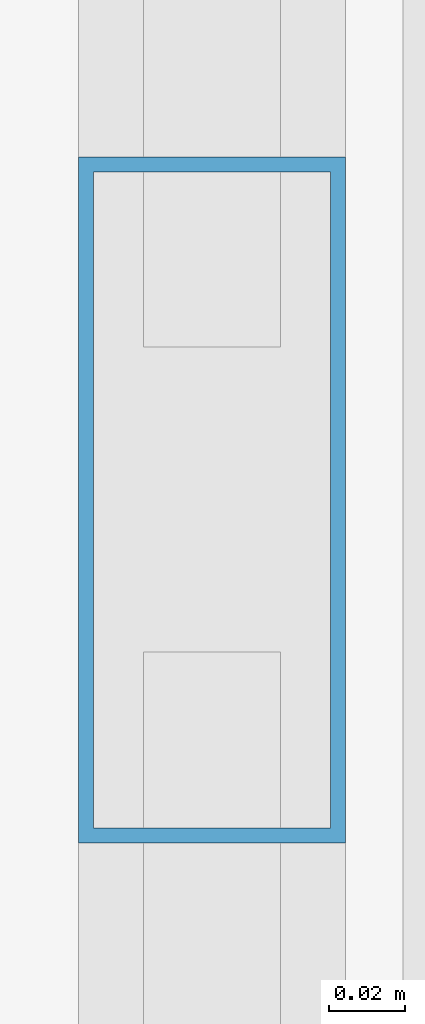
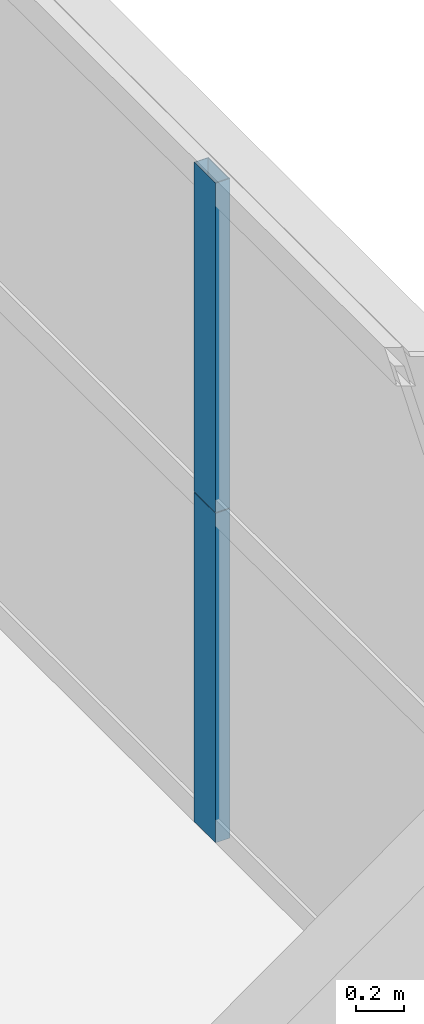
# One storey, part 32 of 43: 2 members, 1 element without a shape of its own.
"""IFC4 building model written with IfcOpenShell, lengths in metres."""

import ifcopenshell
import ifcopenshell.guid

model = None  # the IFC model being written
_history = None  # IfcOwnerHistory: only IFC2X3 demands one
_inside = {}  # id of a spatial element -> (the spatial element, [elements in it])
_under = {}  # id of a project, library or spatial element -> (it, [spatial elements below it])
_declared = {}  # id of a project -> (the project, [libraries it declares])
_typed = {}  # id of a type object -> (the type object, [elements of that type])
_made_of = {}  # id of a material, layer set ... -> (it, [elements and type objects made of it])


def new_model(schema):
    """Start an empty IFC model of exactly this schema.

    Asked for "IFC4X3", IfcOpenShell would pick the latest addendum, in which some entities
    have other attributes; the version numbers below select the first issue.
    IFC2X3 requires an IfcOwnerHistory on every rooted entity: one is made here for all.
    """
    global model, _history
    if schema == "IFC4X3":
        model = ifcopenshell.file(schema_version=(4, 3, 0, 0))
    else:
        model = ifcopenshell.file(schema=schema)
    _inside.clear()
    _under.clear()
    _declared.clear()
    _typed.clear()
    _made_of.clear()
    _history = None
    if model.schema == "IFC2X3":
        org = make("IfcOrganization", Name="unknown")
        user = make(
            "IfcPersonAndOrganization",
            ThePerson=make("IfcPerson", FamilyName="unknown"),
            TheOrganization=org,
        )
        app = make(
            "IfcApplication",
            ApplicationDeveloper=org,
            Version="unknown",
            ApplicationFullName="unknown",
            ApplicationIdentifier="unknown",
        )
        _history = make(
            "IfcOwnerHistory",
            OwningUser=user,
            OwningApplication=app,
            ChangeAction="ADDED",
            CreationDate=0,
        )
    return model


def make(cls, **values):
    """One entity of the class cls with the attributes given. An attribute that is None is left unset."""
    return model.create_entity(
        cls, **{name: value for name, value in values.items() if value is not None}
    )


def rooted(cls, **values):
    """An entity with a GlobalId (a new one), such as an element, a storey or a relation."""
    return make(cls, GlobalId=ifcopenshell.guid.new(), OwnerHistory=_history, **values)


def si_unit(unit_type, name, prefix=None):
    """IfcSIUnit, for example si_unit("LENGTHUNIT", "METRE", prefix="MILLI")."""
    return make("IfcSIUnit", UnitType=unit_type, Prefix=prefix, Name=name)


def assignment(units):
    """IfcUnitAssignment: the units of a project."""
    return None if units is None else make("IfcUnitAssignment", Units=units)


def point(xyz):
    """IfcCartesianPoint."""
    return None if xyz is None else make("IfcCartesianPoint", Coordinates=xyz)


def direction(xyz):
    """IfcDirection."""
    return None if xyz is None else make("IfcDirection", DirectionRatios=xyz)


def frame(location, z_axis=None, x_axis=None):
    """IfcAxis2Placement3D, a coordinate frame: its origin and axes. An axis left out is left unset."""
    return make(
        "IfcAxis2Placement3D",
        Location=point(location),
        Axis=direction(z_axis),
        RefDirection=direction(x_axis),
    )


def frame_2d(location, x_axis=None):
    """IfcAxis2Placement2D, a coordinate frame in the plane: its origin and x axis."""
    return make(
        "IfcAxis2Placement2D", Location=point(location), RefDirection=direction(x_axis)
    )


def origin():
    """The frame at (0, 0, 0) with its axes left unset."""
    return frame((0.0, 0.0, 0.0))


def origin_2d():
    """The frame at (0, 0) in the plane with its x axis left unset."""
    return frame_2d((0.0, 0.0))


def place(relative_to, where):
    """IfcLocalPlacement: puts the frame where relative to a parent placement (None: the world)."""
    return make(
        "IfcLocalPlacement", PlacementRelTo=relative_to, RelativePlacement=where
    )


def context(
    kind, dimensions, precision=None, world=None, true_north=None, identifier=None
):
    """IfcGeometricRepresentationContext, for example the 3D "Model" context."""
    return make(
        "IfcGeometricRepresentationContext",
        ContextIdentifier=identifier,
        ContextType=kind,
        CoordinateSpaceDimension=dimensions,
        Precision=precision,
        WorldCoordinateSystem=world,
        TrueNorth=true_north,
    )


def subcontext(parent, identifier, kind, view, scale=None):
    """IfcGeometricRepresentationSubContext, for example "Body" below "Model"."""
    return make(
        "IfcGeometricRepresentationSubContext",
        ContextIdentifier=identifier,
        ContextType=kind,
        ParentContext=parent,
        TargetScale=scale,
        TargetView=view,
    )


def project(units=None, contexts=None):
    """IfcProject with its units and contexts."""
    return rooted(
        "IfcProject",
        Name="project",
        RepresentationContexts=contexts,
        UnitsInContext=assignment(units),
    )


def spatial(cls, under=None, at=None, **own):
    """A site, building, storey or space (cls), placed at a placement, below another one or the project."""
    s = rooted(cls, ObjectPlacement=at, **own)
    if under is not None:
        _under.setdefault(under.id(), (under, []))[1].append(s)
    return s


def profile(cls, at=None, kind="AREA", **sizes):
    """A parametric profile (cls). Its sizes go by their IFC names, for example OverallWidth=200.0."""
    return make(cls, ProfileType=kind, Position=at, **sizes)


def hollow_rectangle(**sizes):
    """IfcRectangleHollowProfileDef."""
    return profile("IfcRectangleHollowProfileDef", **sizes)


def extrude(swept, where, along, depth):
    """IfcExtrudedAreaSolid: the profile swept, set in the frame where, extruded along a direction by depth."""
    return make(
        "IfcExtrudedAreaSolid",
        SweptArea=swept,
        Position=where,
        ExtrudedDirection=direction(along),
        Depth=depth,
    )


def shape(context_of_items, identifier, shape_type, items):
    """IfcShapeRepresentation: the items that make up one representation, for example the "Body"."""
    return make(
        "IfcShapeRepresentation",
        ContextOfItems=context_of_items,
        RepresentationIdentifier=identifier,
        RepresentationType=shape_type,
        Items=items,
    )


def source(mapping_origin, context_of_items, identifier, shape_type, items):
    """IfcRepresentationMap: a shape defined once, which mapped items show again and again."""
    return make(
        "IfcRepresentationMap",
        MappingOrigin=mapping_origin,
        MappedRepresentation=shape(context_of_items, identifier, shape_type, items),
    )


def transform(
    local_origin,
    x_axis=None,
    y_axis=None,
    z_axis=None,
    scale=None,
    scale2=None,
    scale3=None,
    uniform=True,
):
    """IfcCartesianTransformationOperator3D, or its non-uniform kind. x_axis, y_axis, z_axis: its Axis1, 2, 3."""
    if uniform:
        return make(
            "IfcCartesianTransformationOperator3D",
            Axis1=direction(x_axis),
            Axis2=direction(y_axis),
            LocalOrigin=point(local_origin),
            Scale=scale,
            Axis3=direction(z_axis),
        )
    return make(
        "IfcCartesianTransformationOperator3DnonUniform",
        Axis1=direction(x_axis),
        Axis2=direction(y_axis),
        LocalOrigin=point(local_origin),
        Scale=scale,
        Axis3=direction(z_axis),
        Scale2=scale2,
        Scale3=scale3,
    )


def mapped(mapping_source, mapping_target):
    """IfcMappedItem: shows the shape of a source again, moved by a transform."""
    return make(
        "IfcMappedItem", MappingSource=mapping_source, MappingTarget=mapping_target
    )


def material(Name=None, Category=None):
    """IfcMaterial."""
    return make("IfcMaterial", Name=Name, Category=Category)


def layer(
    of_material, thickness, ventilated=None, Name=None, Category=None, Priority=None
):
    """IfcMaterialLayer: one layer of a wall or slab, of a material (None: an air gap)."""
    return make(
        "IfcMaterialLayer",
        Material=of_material,
        LayerThickness=thickness,
        IsVentilated=ventilated,
        Name=Name,
        Category=Category,
        Priority=Priority,
    )


def layer_set(layers, Name=None):
    """IfcMaterialLayerSet."""
    return make("IfcMaterialLayerSet", MaterialLayers=layers, LayerSetName=Name)


def material_profile(
    of_material, cross_section, Name=None, Category=None, Priority=None
):
    """IfcMaterialProfile: a cross section and its material."""
    return make(
        "IfcMaterialProfile",
        Name=Name,
        Material=of_material,
        Profile=cross_section,
        Priority=Priority,
        Category=Category,
    )


def profile_set(profiles, Name=None, composite=None):
    """IfcMaterialProfileSet."""
    return make(
        "IfcMaterialProfileSet",
        Name=Name,
        MaterialProfiles=profiles,
        CompositeProfile=composite,
    )


def made_of(thing, what):
    """Note that an element or type object is made of a material, layer set ...; save() writes the relation."""
    if what is not None:
        _made_of.setdefault(what.id(), (what, []))[1].append(thing)
    return thing


def type_object(cls, material=None, **own):
    """A type object (cls), such as IfcWallType, which elements share."""
    return made_of(rooted(cls, **own), material)


def element(
    cls,
    number,
    at=None,
    inside=None,
    cuts=None,
    type_object=None,
    material=None,
    context=None,
    identifier="Body",
    shape_type=None,
    held_by="IfcProductDefinitionShape",
    body=None,
    shapes=None,
    **own,
):
    """One element of the class cls, such as IfcWall. Its Tag is "e" and its number.

    at: its placement. inside: the storey or other place that contains it. cuts: it is an
    opening in that element (IfcRelVoidsElement). A single representation is given by context,
    identifier, shape_type and body (its items); several are given by shapes. held_by: the class
    of the entity that holds the representations. save() writes the other relations.
    """
    e = rooted(cls, Tag="e%d" % number, ObjectPlacement=at, **own)
    if body is not None:
        shapes = [shape(context, identifier, shape_type, body)]
    if shapes is not None:
        e.Representation = make(held_by, Representations=shapes)
    if inside is not None:
        _inside.setdefault(inside.id(), (inside, []))[1].append(e)
    if cuts is not None:
        rooted(
            "IfcRelVoidsElement", RelatingBuildingElement=cuts, RelatedOpeningElement=e
        )
    if type_object is not None:
        _typed.setdefault(type_object.id(), (type_object, []))[1].append(e)
    return made_of(e, material)


def aggregate(whole, parts):
    """IfcRelAggregates: a whole, such as a stair, and the parts it consists of."""
    return rooted("IfcRelAggregates", RelatingObject=whole, RelatedObjects=parts)


def save(model, path):
    """Write the relations noted so far, then the file.

    IfcRelAggregates (storeys below a building ...), IfcRelContainedInSpatialStructure (elements
    in a storey), IfcRelDefinesByType, IfcRelAssociatesMaterial and IfcRelDeclares: one each for
    every whole, place, type object, material and project.
    """
    for whole, parts in _under.values():
        aggregate(whole, parts)
    for where, things in _inside.values():
        rooted(
            "IfcRelContainedInSpatialStructure",
            RelatedElements=things,
            RelatingStructure=where,
        )
    for kind, things in _typed.values():
        rooted("IfcRelDefinesByType", RelatedObjects=things, RelatingType=kind)
    for what, things in _made_of.values():
        rooted("IfcRelAssociatesMaterial", RelatedObjects=things, RelatingMaterial=what)
    for by, libraries in _declared.values():
        rooted("IfcRelDeclares", RelatingContext=by, RelatedDefinitions=libraries)
    model.write(path)


model = new_model("IFC4")

# Units and contexts
model_context = context("Model", 3, precision=1e-05, world=origin(), true_north=direction((0.0, 1.0)))
body_context = subcontext(model_context, "Body", "Model", "MODEL_VIEW")
ifc_project = project(units=[si_unit("LENGTHUNIT", "METRE"), si_unit("AREAUNIT", "SQUARE_METRE"), si_unit("VOLUMEUNIT", "CUBIC_METRE"), si_unit("PLANEANGLEUNIT", "RADIAN"), si_unit("MASSUNIT", "GRAM", prefix="KILO"), si_unit("THERMODYNAMICTEMPERATUREUNIT", "KELVIN"), si_unit("POWERUNIT", "WATT")], contexts=[model_context])

# Site, building, storey
site_placement = place(None, origin())
site = spatial("IfcSite", under=ifc_project, at=site_placement, CompositionType="ELEMENT")
building_placement = place(site_placement, origin())
building = spatial("IfcBuilding", under=site, at=building_placement, Name="Yuzanri Waterfront Tower", CompositionType="ELEMENT")
storey_placement = place(building_placement, frame((0.0, 0.0, 53.199951171875)))
storey = spatial("IfcBuildingStorey", under=building, at=storey_placement, Name="L13", CompositionType="ELEMENT", Elevation=53.199951171875)

# Curtain wall, members
ifc_material_1 = material(Name="Anodized Architectural Bronze", Category="metal")
ifc_layer = layer(ifc_material_1, 0.159912109375)
ifc_layer_set = layer_set([ifc_layer], Name="Anodized Architectural Bronze")
curtain_wall_type = type_object("IfcCurtainWallType", Name="Anodized Bronze Hotel Lower-Tier Recessed Unitized Curtain Wall 8100", PredefinedType="NOTDEFINED", material=ifc_layer_set)
curtain_wall_placement = place(storey_placement, origin())
curtain_wall = element("IfcCurtainWall", 1, at=curtain_wall_placement, inside=storey, type_object=curtain_wall_type, Name="L13 Curtain Wall CW-L13-ER", PredefinedType="NOTDEFINED")
ifc_material_2 = material(Name="Anodized Architectural Bronze", Category="metal")
ifc_material_profile = material_profile(ifc_material_2, hollow_rectangle(XDim=0.070068359375, YDim=0.179931640625, WallThickness=0.00390625, at=origin_2d()), Name="CWM 70x180")
ifc_profile_set = profile_set([ifc_material_profile], Name="Anodized Architectural Bronze")
member_type = type_object("IfcMemberType", Name="Anodized Bronze Standard Curtain-Wall Mullion 70x180", PredefinedType="MULLION", material=ifc_profile_set)
shared_shape = source(origin(), body_context, "Body", "SweptSolid", [
    extrude(hollow_rectangle(XDim=0.070068359375, YDim=0.179931640625, WallThickness=0.00390625, at=origin_2d()), origin(), (0.0, 0.0, 1.0), 1.68798828125),
])
member_1_placement = place(storey_placement, frame((61.949951171875, 34.89990234375, 0.0), z_axis=(0.0, 0.0, 1.0), x_axis=(1.0, 0.0, 0.0)))
member_1 = element("IfcMember", 2, at=member_1_placement, type_object=member_type, Name="CW-L13-ER Lower Mullion 01", PredefinedType="MULLION", context=body_context, shape_type="MappedRepresentation", body=[
    mapped(shared_shape, transform((0.0, 0.0, 0.0), scale=1.0)),
])
member_2_placement = place(storey_placement, frame((61.949951171875, 34.89990234375, 1.692138671875), z_axis=(0.0, 0.0, 1.0), x_axis=(1.0, 0.0, 0.0)))
member_2 = element("IfcMember", 3, at=member_2_placement, type_object=member_type, Name="CW-L13-ER Upper Mullion 01", PredefinedType="MULLION", context=body_context, shape_type="MappedRepresentation", body=[
    mapped(shared_shape, transform((0.0, 0.0, 0.0), scale=1.0)),
])
aggregate(curtain_wall, [member_1, member_2])

save(model, "model.ifc")
